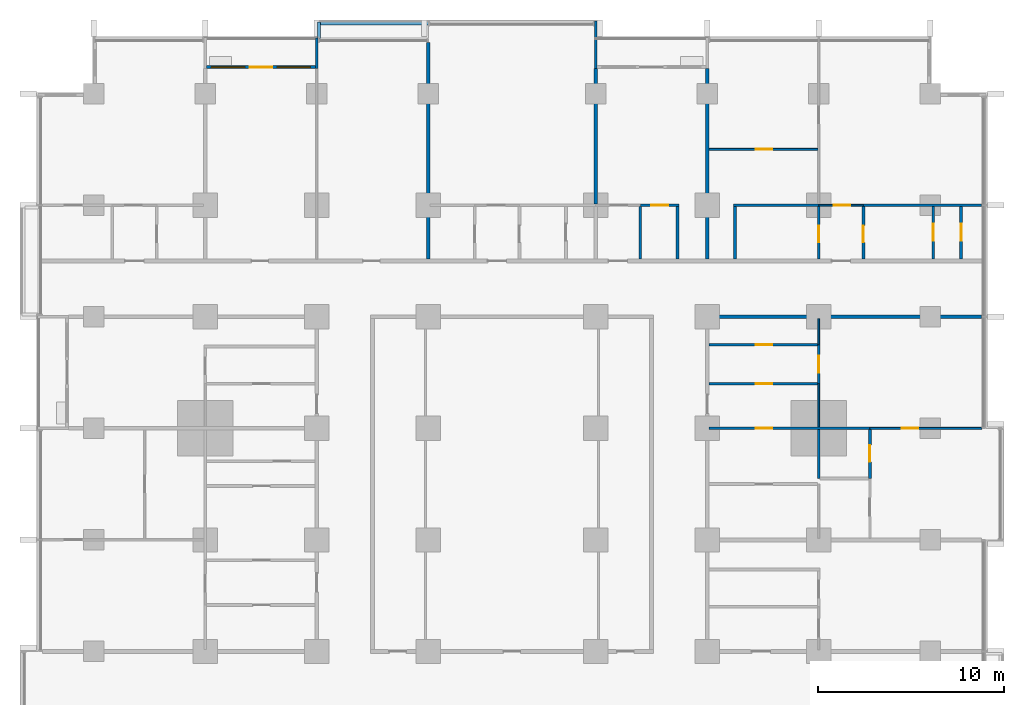
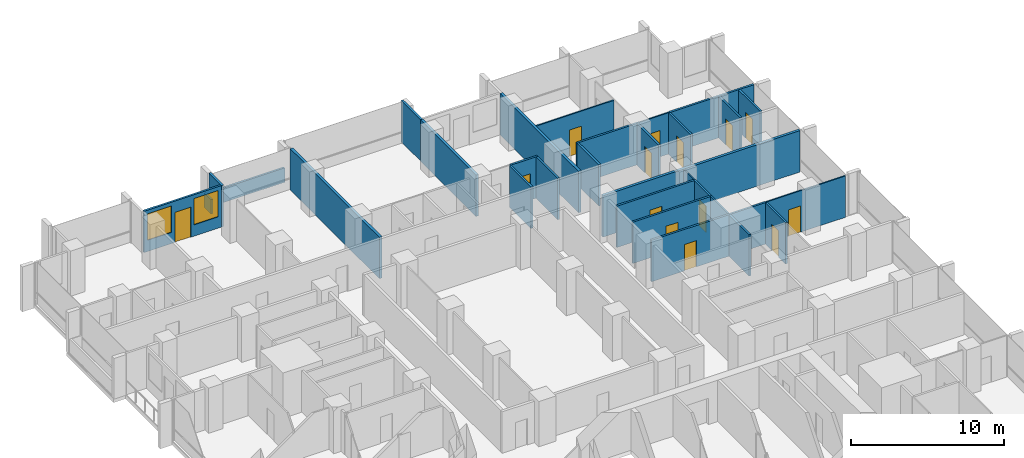
# One storey, part 12 of 18: 30 walls, 14 doors, 2 windows, 16 openings.
"""IFC4 building model written with IfcOpenShell, lengths in metres."""

from ifc_helpers import new_model, si_unit, direction, frame, frame_2d, origin, place, context, subcontext, project, spatial, rectangle, extrude, material, layer, layer_set, type_object, element, fill, save


model = new_model("IFC4")

# Units and contexts
model_context = context("Model", 3, precision=1e-05, world=origin(), true_north=direction((0.0, 1.0)))
body_context = subcontext(model_context, "Body", "Model", "MODEL_VIEW")
ifc_project = project(units=[si_unit("LENGTHUNIT", "METRE"), si_unit("AREAUNIT", "SQUARE_METRE"), si_unit("VOLUMEUNIT", "CUBIC_METRE"), si_unit("PLANEANGLEUNIT", "RADIAN"), si_unit("MASSUNIT", "GRAM", prefix="KILO")], contexts=[model_context])

# Site, building, storey
site_placement = place(None, origin())
site = spatial("IfcSite", under=ifc_project, at=site_placement, CompositionType="ELEMENT")
building_placement = place(site_placement, origin())
building = spatial("IfcBuilding", under=site, at=building_placement, Name="Finial Court Residences", CompositionType="ELEMENT")
storey_placement = place(building_placement, frame((0.0, 0.0, 39.699951171875)))
storey = spatial("IfcBuildingStorey", under=building, at=storey_placement, Name="L08", CompositionType="ELEMENT", Elevation=39.699951171875)

# Walls
ifc_material_1 = material(Name="Gypsum board")
ifc_layer_1 = layer(ifc_material_1, 0.02490234375)
ifc_material_2 = material(Name="Acoustic mineral wool in double frame")
ifc_layer_2 = layer(ifc_material_2, 0.14990234375)
ifc_layer_3 = layer(ifc_material_1, 0.02490234375)
ifc_layer_set_1 = layer_set([ifc_layer_1, ifc_layer_2, ifc_layer_3], Name="Acoustic party wall 200, 1 hour")
wall_type_1 = type_object("IfcWallType", Name="Acoustic party wall 200, 1 hour", PredefinedType="PARTITIONING", material=ifc_layer_set_1)
wall_1_placement = place(storey_placement, frame((4.5, 19.574951171875, 0.0), z_axis=(0.0, 0.0, 1.0), x_axis=(0.0, 1.0, 0.0)))
element("IfcWall", 1, at=wall_1_placement, inside=storey, type_object=wall_type_1, Name="Partition L08-070", PredefinedType="PARTITIONING", context=body_context, shape_type="SweptSolid", body=[
    extrude(rectangle(XDim=7.275146484375, YDim=0.199951171875, at=frame_2d((3.6376953125, 0.0))), origin(), (0.0, 0.0, 1.0), 3.300048828125),
])
wall_2_placement = place(storey_placement, frame((10.5, 16.60009765625, 0.0), z_axis=(0.0, 0.0, 1.0), x_axis=(0.0, 1.0, 0.0)))
element("IfcWall", 2, at=wall_2_placement, inside=storey, type_object=wall_type_1, Name="Partition L08-076", PredefinedType="PARTITIONING", context=body_context, shape_type="SweptSolid", body=[
    extrude(rectangle(XDim=10.25, YDim=0.199951171875, at=frame_2d((5.125, 0.0))), origin(), (0.0, 0.0, 1.0), 3.300048828125),
])
ifc_layer_4 = layer(ifc_material_1, 0.02490234375)
ifc_layer_5 = layer(ifc_material_2, 0.14990234375)
ifc_layer_6 = layer(ifc_material_1, 0.02490234375)
ifc_layer_set_2 = layer_set([ifc_layer_4, ifc_layer_5, ifc_layer_6], Name="Corridor wall 200, 1 hour")
wall_type_2 = type_object("IfcWallType", Name="Corridor wall 200, 1 hour", PredefinedType="PARTITIONING", material=ifc_layer_set_2)
wall_3_placement = place(storey_placement, frame((10.39990234375, 13.5, 0.0), z_axis=(0.0, 0.0, 1.0), x_axis=(1.0, 0.0, 0.0)))
element("IfcWall", 3, at=wall_3_placement, inside=storey, type_object=wall_type_2, Name="Partition L08-033", PredefinedType="PARTITIONING", context=body_context, shape_type="SweptSolid", body=[
    extrude(rectangle(XDim=14.85009765625, YDim=0.199951171875, at=frame_2d((7.425048828125, 0.0))), origin(), (0.0, 0.0, 1.0), 3.300048828125),
])
wall_4_placement = place(storey_placement, frame((-4.5, 16.60009765625, 0.0), z_axis=(0.0, 0.0, 1.0), x_axis=(0.0, 1.0, 0.0)))
element("IfcWall", 4, at=wall_4_placement, inside=storey, type_object=wall_type_2, Name="Partition L08-065", PredefinedType="PARTITIONING", context=body_context, shape_type="SweptSolid", body=[
    extrude(rectangle(XDim=11.64990234375, YDim=0.199951171875, at=frame_2d((5.824951171875, 0.0))), origin(), (0.0, 0.0, 1.0), 3.300048828125),
])

# Wall, opening, door
ifc_layer_7 = layer(ifc_material_1, 0.012451171875)
ifc_material_3 = material(Name="Mineral wool in light-gauge frame")
ifc_layer_8 = layer(ifc_material_3, 0.074951171875)
ifc_layer_9 = layer(ifc_material_1, 0.012451171875)
ifc_layer_set_3 = layer_set([ifc_layer_7, ifc_layer_8, ifc_layer_9], Name="Gypsum board partition 100")
wall_type_3 = type_object("IfcWallType", Name="Gypsum board partition 100", PredefinedType="PARTITIONING", material=ifc_layer_set_3)
wall_5_placement = place(storey_placement, frame((19.25, 7.5, 0.0), z_axis=(0.0, 0.0, 1.0), x_axis=(1.0, 0.0, 0.0)))
wall_5 = element("IfcWall", 5, at=wall_5_placement, inside=storey, type_object=wall_type_3, Name="Partition L08-024", PredefinedType="PARTITIONING", context=body_context, shape_type="SweptSolid", body=[
    extrude(rectangle(XDim=6.0, YDim=0.10009765625, at=frame_2d((3.0, 0.0))), origin(), (0.0, 0.0, 1.0), 3.300048828125),
])
opening_1_placement = place(wall_5_placement, frame((1.699951171875, 0.0, 0.0)))
opening_1 = element("IfcOpeningElement", 6, at=opening_1_placement, cuts=wall_5, Name="Opening L08-D017", PredefinedType="OPENING", context=body_context, shape_type="SweptSolid", body=[
    extrude(rectangle(XDim=0.89990234375, YDim=2.10009765625, at=frame_2d((0.449951171875, 1.050048828125))), frame((0.0, 0.06005859375, 0.0), z_axis=(0.0, -1.0, 0.0), x_axis=(1.0, 0.0, 0.0)), (0.0, 0.0, 1.0), 0.1201171875),
])
ifc_material_4 = material(Name="Timber door leaf in timber frame", Category="wood")
door_type_1 = type_object("IfcDoorType", Name="Door set 900 x 2100", OperationType="SINGLE_SWING_LEFT", PredefinedType="DOOR", material=ifc_material_4)
door_1_placement = place(opening_1_placement, origin())
door_1 = element("IfcDoor", 7, at=door_1_placement, inside=storey, type_object=door_type_1, Name="Door L08-D017", OperationType="SINGLE_SWING_LEFT", OverallHeight=2.10009765625, OverallWidth=0.89990234375, PredefinedType="DOOR", context=body_context, shape_type="SweptSolid", body=[
    extrude(rectangle(XDim=0.89990234375, YDim=2.10009765625, at=frame_2d((0.449951171875, 1.050048828125))), frame((0.0, 0.02490234375, 0.0), z_axis=(0.0, -1.0, 0.0), x_axis=(1.0, 0.0, 0.0)), (0.0, 0.0, 1.0), 0.050048828125),
])
fill(opening_1, door_1)

wall_6_placement = place(storey_placement, frame((16.5, 19.5, 0.0), z_axis=(0.0, 0.0, 1.0), x_axis=(1.0, 0.0, 0.0)))
wall_6 = element("IfcWall", 8, at=wall_6_placement, inside=storey, type_object=wall_type_3, Name="Partition L08-038", PredefinedType="PARTITIONING", context=body_context, shape_type="SweptSolid", body=[
    extrude(rectangle(XDim=2.39990234375, YDim=0.10009765625, at=frame_2d((1.199951171875, 0.0))), origin(), (0.0, 0.0, 1.0), 3.300048828125),
])
opening_2_placement = place(wall_6_placement, frame((0.800048828125, 0.0, 0.0)))
opening_2 = element("IfcOpeningElement", 9, at=opening_2_placement, cuts=wall_6, Name="Opening L08-D031", PredefinedType="OPENING", context=body_context, shape_type="SweptSolid", body=[
    extrude(rectangle(XDim=0.89990234375, YDim=2.10009765625, at=frame_2d((0.449951171875, 1.050048828125))), frame((0.0, 0.06005859375, 0.0), z_axis=(0.0, -1.0, 0.0), x_axis=(1.0, 0.0, 0.0)), (0.0, 0.0, 1.0), 0.1201171875),
])
door_2_placement = place(opening_2_placement, origin())
door_2 = element("IfcDoor", 10, at=door_2_placement, inside=storey, type_object=door_type_1, Name="Door L08-D031", OperationType="SINGLE_SWING_LEFT", OverallHeight=2.10009765625, OverallWidth=0.89990234375, PredefinedType="DOOR", context=body_context, shape_type="SweptSolid", body=[
    extrude(rectangle(XDim=0.89990234375, YDim=2.10009765625, at=frame_2d((0.449951171875, 1.050048828125))), frame((0.0, 0.02490234375, 0.0), z_axis=(0.0, -1.0, 0.0), x_axis=(1.0, 0.0, 0.0)), (0.0, 0.0, 1.0), 0.050048828125),
])
fill(opening_2, door_2)

wall_7_placement = place(storey_placement, frame((10.60009765625, 22.5, 0.0), z_axis=(0.0, 0.0, 1.0), x_axis=(1.0, 0.0, 0.0)))
wall_7 = element("IfcWall", 11, at=wall_7_placement, inside=storey, type_object=wall_type_3, Name="Partition L08-046", PredefinedType="PARTITIONING", context=body_context, shape_type="SweptSolid", body=[
    extrude(rectangle(XDim=5.849853515625, YDim=0.10009765625, at=frame_2d((2.9248046875, 0.0))), origin(), (0.0, 0.0, 1.0), 3.300048828125),
])
opening_3_placement = place(wall_7_placement, frame((2.5, 0.0, 0.0)))
opening_3 = element("IfcOpeningElement", 12, at=opening_3_placement, cuts=wall_7, Name="Opening L08-D034", PredefinedType="OPENING", context=body_context, shape_type="SweptSolid", body=[
    extrude(rectangle(XDim=0.89990234375, YDim=2.10009765625, at=frame_2d((0.449951171875, 1.050048828125))), frame((0.0, 0.06005859375, 0.0), z_axis=(0.0, -1.0, 0.0), x_axis=(1.0, 0.0, 0.0)), (0.0, 0.0, 1.0), 0.1201171875),
])
door_3_placement = place(opening_3_placement, origin())
door_3 = element("IfcDoor", 13, at=door_3_placement, inside=storey, type_object=door_type_1, Name="Door L08-D034", OperationType="SINGLE_SWING_RIGHT", OverallHeight=2.10009765625, OverallWidth=0.89990234375, PredefinedType="DOOR", context=body_context, shape_type="SweptSolid", body=[
    extrude(rectangle(XDim=0.89990234375, YDim=2.10009765625, at=frame_2d((0.449951171875, 1.050048828125))), frame((0.0, 0.02490234375, 0.0), z_axis=(0.0, -1.0, 0.0), x_axis=(1.0, 0.0, 0.0)), (0.0, 0.0, 1.0), 0.050048828125),
])
fill(opening_3, door_3)

# Walls
wall_8_placement = place(storey_placement, frame((16.5, 7.574951171875, 0.0), z_axis=(0.0, 0.0, 1.0), x_axis=(0.0, 1.0, 0.0)))
element("IfcWall", 14, at=wall_8_placement, inside=storey, type_object=wall_type_3, Name="Partition L08-081", PredefinedType="PARTITIONING", context=body_context, shape_type="SweptSolid", body=[
    extrude(rectangle(XDim=2.324951171875, YDim=0.10009765625, at=frame_2d((1.16259765625, 0.0))), origin(), (0.0, 0.0, 1.0), 3.300048828125),
])
wall_9_placement = place(storey_placement, frame((16.5, 12.0, 0.0), z_axis=(0.0, 0.0, 1.0), x_axis=(0.0, 1.0, 0.0)))
element("IfcWall", 15, at=wall_9_placement, inside=storey, type_object=wall_type_3, Name="Partition L08-082", PredefinedType="PARTITIONING", context=body_context, shape_type="SweptSolid", body=[
    extrude(rectangle(XDim=1.39990234375, YDim=0.10009765625, at=frame_2d((0.699951171875, 0.0))), origin(), (0.0, 0.0, 1.0), 3.300048828125),
])

# Wall, opening, door
ifc_material_5 = material(Name="Moisture-resistant gypsum board")
ifc_layer_10 = layer(ifc_material_5, 0.012451171875)
ifc_layer_11 = layer(ifc_material_3, 0.125)
ifc_layer_12 = layer(ifc_material_5, 0.012451171875)
ifc_layer_set_4 = layer_set([ifc_layer_10, ifc_layer_11, ifc_layer_12], Name="Gypsum board wet-area partition 150")
wall_type_4 = type_object("IfcWallType", Name="Gypsum board wet-area partition 150", PredefinedType="PARTITIONING", material=ifc_layer_set_4)
wall_10_placement = place(storey_placement, frame((10.60009765625, 7.5, 0.0), z_axis=(0.0, 0.0, 1.0), x_axis=(1.0, 0.0, 0.0)))
wall_10 = element("IfcWall", 16, at=wall_10_placement, inside=storey, type_object=wall_type_4, Name="Partition L08-026", PredefinedType="PARTITIONING", context=body_context, shape_type="SweptSolid", body=[
    extrude(rectangle(XDim=8.64990234375, YDim=0.14990234375, at=frame_2d((4.324951171875, 0.0))), origin(), (0.0, 0.0, 1.0), 3.300048828125),
])
opening_4_placement = place(wall_10_placement, frame((2.5, 0.0, 0.0)))
opening_4 = element("IfcOpeningElement", 17, at=opening_4_placement, cuts=wall_10, Name="Opening L08-D018", PredefinedType="OPENING", context=body_context, shape_type="SweptSolid", body=[
    extrude(rectangle(XDim=0.89990234375, YDim=2.10009765625, at=frame_2d((0.449951171875, 1.050048828125))), frame((0.0, 0.0849609375, 0.0), z_axis=(0.0, -1.0, 0.0), x_axis=(1.0, 0.0, 0.0)), (0.0, 0.0, 1.0), 0.169921875),
])
door_4_placement = place(opening_4_placement, origin())
door_4 = element("IfcDoor", 18, at=door_4_placement, inside=storey, type_object=door_type_1, Name="Door L08-D018", OperationType="SINGLE_SWING_LEFT", OverallHeight=2.10009765625, OverallWidth=0.89990234375, PredefinedType="DOOR", context=body_context, shape_type="SweptSolid", body=[
    extrude(rectangle(XDim=0.89990234375, YDim=2.10009765625, at=frame_2d((0.449951171875, 1.050048828125))), frame((0.0, 0.02490234375, 0.0), z_axis=(0.0, -1.0, 0.0), x_axis=(1.0, 0.0, 0.0)), (0.0, 0.0, 1.0), 0.050048828125),
])
fill(opening_4, door_4)

wall_11_placement = place(storey_placement, frame((10.60009765625, 9.89990234375, 0.0), z_axis=(0.0, 0.0, 1.0), x_axis=(1.0, 0.0, 0.0)))
wall_11 = element("IfcWall", 19, at=wall_11_placement, inside=storey, type_object=wall_type_4, Name="Partition L08-028", PredefinedType="PARTITIONING", context=body_context, shape_type="SweptSolid", body=[
    extrude(rectangle(XDim=5.824951171875, YDim=0.14990234375, at=frame_2d((2.91259765625, 0.0))), origin(), (0.0, 0.0, 1.0), 3.300048828125),
])
opening_5_placement = place(wall_11_placement, frame((2.5, 0.0, 0.0)))
opening_5 = element("IfcOpeningElement", 20, at=opening_5_placement, cuts=wall_11, Name="Opening L08-D020", PredefinedType="OPENING", context=body_context, shape_type="SweptSolid", body=[
    extrude(rectangle(XDim=0.89990234375, YDim=2.10009765625, at=frame_2d((0.449951171875, 1.050048828125))), frame((0.0, 0.0849609375, 0.0), z_axis=(0.0, -1.0, 0.0), x_axis=(1.0, 0.0, 0.0)), (0.0, 0.0, 1.0), 0.169921875),
])
door_5_placement = place(opening_5_placement, origin())
door_5 = element("IfcDoor", 21, at=door_5_placement, inside=storey, type_object=door_type_1, Name="Door L08-D020", OperationType="SINGLE_SWING_RIGHT", OverallHeight=2.10009765625, OverallWidth=0.89990234375, PredefinedType="DOOR", context=body_context, shape_type="SweptSolid", body=[
    extrude(rectangle(XDim=0.89990234375, YDim=2.10009765625, at=frame_2d((0.449951171875, 1.050048828125))), frame((0.0, 0.02490234375, 0.0), z_axis=(0.0, -1.0, 0.0), x_axis=(1.0, 0.0, 0.0)), (0.0, 0.0, 1.0), 0.050048828125),
])
fill(opening_5, door_5)

wall_12_placement = place(storey_placement, frame((10.60009765625, 12.0, 0.0), z_axis=(0.0, 0.0, 1.0), x_axis=(1.0, 0.0, 0.0)))
wall_12 = element("IfcWall", 22, at=wall_12_placement, inside=storey, type_object=wall_type_4, Name="Partition L08-030", PredefinedType="PARTITIONING", context=body_context, shape_type="SweptSolid", body=[
    extrude(rectangle(XDim=5.824951171875, YDim=0.14990234375, at=frame_2d((2.91259765625, 0.0))), origin(), (0.0, 0.0, 1.0), 3.300048828125),
])
opening_6_placement = place(wall_12_placement, frame((2.5, 0.0, 0.0)))
opening_6 = element("IfcOpeningElement", 23, at=opening_6_placement, cuts=wall_12, Name="Opening L08-D021", PredefinedType="OPENING", context=body_context, shape_type="SweptSolid", body=[
    extrude(rectangle(XDim=0.89990234375, YDim=2.10009765625, at=frame_2d((0.449951171875, 1.050048828125))), frame((0.0, 0.0849609375, 0.0), z_axis=(0.0, -1.0, 0.0), x_axis=(1.0, 0.0, 0.0)), (0.0, 0.0, 1.0), 0.169921875),
])
door_6_placement = place(opening_6_placement, origin())
door_6 = element("IfcDoor", 24, at=door_6_placement, inside=storey, type_object=door_type_1, Name="Door L08-D021", OperationType="SINGLE_SWING_LEFT", OverallHeight=2.10009765625, OverallWidth=0.89990234375, PredefinedType="DOOR", context=body_context, shape_type="SweptSolid", body=[
    extrude(rectangle(XDim=0.89990234375, YDim=2.10009765625, at=frame_2d((0.449951171875, 1.050048828125))), frame((0.0, 0.02490234375, 0.0), z_axis=(0.0, -1.0, 0.0), x_axis=(1.0, 0.0, 0.0)), (0.0, 0.0, 1.0), 0.050048828125),
])
fill(opening_6, door_6)

wall_13_placement = place(storey_placement, frame((6.89990234375, 19.5, 0.0), z_axis=(0.0, 0.0, 1.0), x_axis=(1.0, 0.0, 0.0)))
wall_13 = element("IfcWall", 25, at=wall_13_placement, inside=storey, type_object=wall_type_4, Name="Partition L08-043", PredefinedType="PARTITIONING", context=body_context, shape_type="SweptSolid", body=[
    extrude(rectangle(XDim=2.0751953125, YDim=0.14990234375, at=frame_2d((1.03759765625, 0.0))), origin(), (0.0, 0.0, 1.0), 3.300048828125),
])
opening_7_placement = place(wall_13_placement, frame((0.60009765625, 0.0, 0.0)))
opening_7 = element("IfcOpeningElement", 26, at=opening_7_placement, cuts=wall_13, Name="Opening L08-D033", PredefinedType="OPENING", context=body_context, shape_type="SweptSolid", body=[
    extrude(rectangle(XDim=0.89990234375, YDim=2.10009765625, at=frame_2d((0.449951171875, 1.050048828125))), frame((0.0, 0.0849609375, 0.0), z_axis=(0.0, -1.0, 0.0), x_axis=(1.0, 0.0, 0.0)), (0.0, 0.0, 1.0), 0.169921875),
])
door_7_placement = place(opening_7_placement, origin())
door_7 = element("IfcDoor", 27, at=door_7_placement, inside=storey, type_object=door_type_1, Name="Door L08-D033", OperationType="SINGLE_SWING_LEFT", OverallHeight=2.10009765625, OverallWidth=0.89990234375, PredefinedType="DOOR", context=body_context, shape_type="SweptSolid", body=[
    extrude(rectangle(XDim=0.89990234375, YDim=2.10009765625, at=frame_2d((0.449951171875, 1.050048828125))), frame((0.0, 0.02490234375, 0.0), z_axis=(0.0, -1.0, 0.0), x_axis=(1.0, 0.0, 0.0)), (0.0, 0.0, 1.0), 0.050048828125),
])
fill(opening_7, door_7)

# Walls
wall_14_placement = place(storey_placement, frame((11.925048828125, 19.5, 0.0), z_axis=(0.0, 0.0, 1.0), x_axis=(1.0, 0.0, 0.0)))
element("IfcWall", 28, at=wall_14_placement, inside=storey, type_object=wall_type_4, Name="Partition L08-044", PredefinedType="PARTITIONING", context=body_context, shape_type="SweptSolid", body=[
    extrude(rectangle(XDim=4.574951171875, YDim=0.14990234375, at=frame_2d((2.28759765625, 0.0))), origin(), (0.0, 0.0, 1.0), 3.300048828125),
])
wall_15_placement = place(storey_placement, frame((18.89990234375, 19.5, 0.0), z_axis=(0.0, 0.0, 1.0), x_axis=(1.0, 0.0, 0.0)))
element("IfcWall", 29, at=wall_15_placement, inside=storey, type_object=wall_type_4, Name="Partition L08-045", PredefinedType="PARTITIONING", context=body_context, shape_type="SweptSolid", body=[
    extrude(rectangle(XDim=6.35009765625, YDim=0.14990234375, at=frame_2d((3.175048828125, 0.0))), origin(), (0.0, 0.0, 1.0), 3.300048828125),
])
for number, where, z_axis, x_axis, name in (
    (30, (6.89990234375, 16.60009765625, 0.0), (0.0, 0.0, 1.0), (0.0, 1.0, 0.0), "Partition L08-072"),
    (31, (8.89990234375, 16.60009765625, 0.0), (0.0, 0.0, 1.0), (0.0, 1.0, 0.0), "Partition L08-074"),
    (32, (12.0, 16.60009765625, 0.0), (0.0, 0.0, 1.0), (0.0, 1.0, 0.0), "Partition L08-077"),
):
    element("IfcWall", number, at=place(storey_placement, frame(where, z_axis=z_axis, x_axis=x_axis)), inside=storey, type_object=wall_type_4, Name=name, PredefinedType="PARTITIONING", context=body_context, shape_type="SweptSolid", body=[
        extrude(rectangle(XDim=2.824951171875, YDim=0.14990234375, at=frame_2d((1.41259765625, 0.0))), origin(), (0.0, 0.0, 1.0), 3.300048828125),
    ])
wall_16_placement = place(storey_placement, frame((16.5, 4.800048828125, 0.0), z_axis=(0.0, 0.0, 1.0), x_axis=(0.0, 1.0, 0.0)))
element("IfcWall", 33, at=wall_16_placement, inside=storey, type_object=wall_type_4, Name="Partition L08-087", PredefinedType="PARTITIONING", context=body_context, shape_type="SweptSolid", body=[
    extrude(rectangle(XDim=2.625, YDim=0.14990234375, at=frame_2d((1.3125, 0.0))), origin(), (0.0, 0.0, 1.0), 3.300048828125),
])

# Wall, opening, door
wall_17_placement = place(storey_placement, frame((16.5, 9.89990234375, 0.0), z_axis=(0.0, 0.0, 1.0), x_axis=(0.0, 1.0, 0.0)))
wall_17 = element("IfcWall", 34, at=wall_17_placement, inside=storey, type_object=wall_type_4, Name="Partition L08-088", PredefinedType="PARTITIONING", context=body_context, shape_type="SweptSolid", body=[
    extrude(rectangle(XDim=2.10009765625, YDim=0.14990234375, at=frame_2d((1.050048828125, 0.0))), origin(), (0.0, 0.0, 1.0), 3.300048828125),
])
opening_8_placement = place(wall_17_placement, frame((0.60009765625, 0.0, 0.0)))
opening_8 = element("IfcOpeningElement", 35, at=opening_8_placement, cuts=wall_17, Name="Opening L08-D052", PredefinedType="OPENING", context=body_context, shape_type="SweptSolid", body=[
    extrude(rectangle(XDim=0.89990234375, YDim=2.10009765625, at=frame_2d((0.449951171875, 1.050048828125))), frame((0.0, 0.0849609375, 0.0), z_axis=(0.0, -1.0, 0.0), x_axis=(1.0, 0.0, 0.0)), (0.0, 0.0, 1.0), 0.169921875),
])
door_8_placement = place(opening_8_placement, origin())
door_8 = element("IfcDoor", 36, at=door_8_placement, inside=storey, type_object=door_type_1, Name="Door L08-D052", OperationType="SINGLE_SWING_RIGHT", OverallHeight=2.10009765625, OverallWidth=0.89990234375, PredefinedType="DOOR", context=body_context, shape_type="SweptSolid", body=[
    extrude(rectangle(XDim=0.89990234375, YDim=2.10009765625, at=frame_2d((0.449951171875, 1.050048828125))), frame((0.0, 0.02490234375, 0.0), z_axis=(0.0, -1.0, 0.0), x_axis=(1.0, 0.0, 0.0)), (0.0, 0.0, 1.0), 0.050048828125),
])
fill(opening_8, door_8)

wall_18_placement = place(storey_placement, frame((16.5, 16.60009765625, 0.0), z_axis=(0.0, 0.0, 1.0), x_axis=(0.0, 1.0, 0.0)))
wall_18 = element("IfcWall", 37, at=wall_18_placement, inside=storey, type_object=wall_type_4, Name="Partition L08-089", PredefinedType="PARTITIONING", context=body_context, shape_type="SweptSolid", body=[
    extrude(rectangle(XDim=2.824951171875, YDim=0.14990234375, at=frame_2d((1.41259765625, 0.0))), origin(), (0.0, 0.0, 1.0), 3.300048828125),
])
opening_9_placement = place(wall_18_placement, frame((0.89990234375, 0.0, 0.0)))
opening_9 = element("IfcOpeningElement", 38, at=opening_9_placement, cuts=wall_18, Name="Opening L08-D053", PredefinedType="OPENING", context=body_context, shape_type="SweptSolid", body=[
    extrude(rectangle(XDim=0.89990234375, YDim=2.10009765625, at=frame_2d((0.449951171875, 1.050048828125))), frame((0.0, 0.0849609375, 0.0), z_axis=(0.0, -1.0, 0.0), x_axis=(1.0, 0.0, 0.0)), (0.0, 0.0, 1.0), 0.169921875),
])
door_9_placement = place(opening_9_placement, origin())
door_9 = element("IfcDoor", 39, at=door_9_placement, inside=storey, type_object=door_type_1, Name="Door L08-D053", OperationType="SINGLE_SWING_LEFT", OverallHeight=2.10009765625, OverallWidth=0.89990234375, PredefinedType="DOOR", context=body_context, shape_type="SweptSolid", body=[
    extrude(rectangle(XDim=0.89990234375, YDim=2.10009765625, at=frame_2d((0.449951171875, 1.050048828125))), frame((0.0, 0.02490234375, 0.0), z_axis=(0.0, -1.0, 0.0), x_axis=(1.0, 0.0, 0.0)), (0.0, 0.0, 1.0), 0.050048828125),
])
fill(opening_9, door_9)

wall_19_placement = place(storey_placement, frame((18.89990234375, 16.60009765625, 0.0), z_axis=(0.0, 0.0, 1.0), x_axis=(0.0, 1.0, 0.0)))
wall_19 = element("IfcWall", 40, at=wall_19_placement, inside=storey, type_object=wall_type_4, Name="Partition L08-090", PredefinedType="PARTITIONING", context=body_context, shape_type="SweptSolid", body=[
    extrude(rectangle(XDim=2.824951171875, YDim=0.14990234375, at=frame_2d((1.41259765625, 0.0))), origin(), (0.0, 0.0, 1.0), 3.300048828125),
])
opening_10_placement = place(wall_19_placement, frame((0.89990234375, 0.0, 0.0)))
opening_10 = element("IfcOpeningElement", 41, at=opening_10_placement, cuts=wall_19, Name="Opening L08-D054", PredefinedType="OPENING", context=body_context, shape_type="SweptSolid", body=[
    extrude(rectangle(XDim=0.89990234375, YDim=2.10009765625, at=frame_2d((0.449951171875, 1.050048828125))), frame((0.0, 0.0849609375, 0.0), z_axis=(0.0, -1.0, 0.0), x_axis=(1.0, 0.0, 0.0)), (0.0, 0.0, 1.0), 0.169921875),
])
door_10_placement = place(opening_10_placement, origin())
door_10 = element("IfcDoor", 42, at=door_10_placement, inside=storey, type_object=door_type_1, Name="Door L08-D054", OperationType="SINGLE_SWING_RIGHT", OverallHeight=2.10009765625, OverallWidth=0.89990234375, PredefinedType="DOOR", context=body_context, shape_type="SweptSolid", body=[
    extrude(rectangle(XDim=0.89990234375, YDim=2.10009765625, at=frame_2d((0.449951171875, 1.050048828125))), frame((0.0, 0.02490234375, 0.0), z_axis=(0.0, -1.0, 0.0), x_axis=(1.0, 0.0, 0.0)), (0.0, 0.0, 1.0), 0.050048828125),
])
fill(opening_10, door_10)

wall_20_placement = place(storey_placement, frame((19.25, 4.800048828125, 0.0), z_axis=(0.0, 0.0, 1.0), x_axis=(0.0, 1.0, 0.0)))
wall_20 = element("IfcWall", 43, at=wall_20_placement, inside=storey, type_object=wall_type_4, Name="Partition L08-092", PredefinedType="PARTITIONING", context=body_context, shape_type="SweptSolid", body=[
    extrude(rectangle(XDim=2.625, YDim=0.14990234375, at=frame_2d((1.3125, 0.0))), origin(), (0.0, 0.0, 1.0), 3.300048828125),
])
opening_11_placement = place(wall_20_placement, frame((0.89990234375, 0.0, 0.0)))
opening_11 = element("IfcOpeningElement", 44, at=opening_11_placement, cuts=wall_20, Name="Opening L08-D056", PredefinedType="OPENING", context=body_context, shape_type="SweptSolid", body=[
    extrude(rectangle(XDim=0.89990234375, YDim=2.10009765625, at=frame_2d((0.449951171875, 1.050048828125))), frame((0.0, 0.0849609375, 0.0), z_axis=(0.0, -1.0, 0.0), x_axis=(1.0, 0.0, 0.0)), (0.0, 0.0, 1.0), 0.169921875),
])
door_11_placement = place(opening_11_placement, origin())
door_11 = element("IfcDoor", 45, at=door_11_placement, inside=storey, type_object=door_type_1, Name="Door L08-D056", OperationType="SINGLE_SWING_LEFT", OverallHeight=2.10009765625, OverallWidth=0.89990234375, PredefinedType="DOOR", context=body_context, shape_type="SweptSolid", body=[
    extrude(rectangle(XDim=0.89990234375, YDim=2.10009765625, at=frame_2d((0.449951171875, 1.050048828125))), frame((0.0, 0.02490234375, 0.0), z_axis=(0.0, -1.0, 0.0), x_axis=(1.0, 0.0, 0.0)), (0.0, 0.0, 1.0), 0.050048828125),
])
fill(opening_11, door_11)

wall_21_placement = place(storey_placement, frame((22.64990234375, 16.60009765625, 0.0), z_axis=(0.0, 0.0, 1.0), x_axis=(0.0, 1.0, 0.0)))
wall_21 = element("IfcWall", 46, at=wall_21_placement, inside=storey, type_object=wall_type_4, Name="Partition L08-096", PredefinedType="PARTITIONING", context=body_context, shape_type="SweptSolid", body=[
    extrude(rectangle(XDim=2.824951171875, YDim=0.14990234375, at=frame_2d((1.41259765625, 0.0))), origin(), (0.0, 0.0, 1.0), 3.300048828125),
])
opening_12_placement = place(wall_21_placement, frame((1.0, 0.0, 0.0)))
opening_12 = element("IfcOpeningElement", 47, at=opening_12_placement, cuts=wall_21, Name="Opening L08-D060", PredefinedType="OPENING", context=body_context, shape_type="SweptSolid", body=[
    extrude(rectangle(XDim=0.89990234375, YDim=2.10009765625, at=frame_2d((0.449951171875, 1.050048828125))), frame((0.0, 0.0849609375, 0.0), z_axis=(0.0, -1.0, 0.0), x_axis=(1.0, 0.0, 0.0)), (0.0, 0.0, 1.0), 0.169921875),
])
door_12_placement = place(opening_12_placement, origin())
door_12 = element("IfcDoor", 48, at=door_12_placement, inside=storey, type_object=door_type_1, Name="Door L08-D060", OperationType="SINGLE_SWING_RIGHT", OverallHeight=2.10009765625, OverallWidth=0.89990234375, PredefinedType="DOOR", context=body_context, shape_type="SweptSolid", body=[
    extrude(rectangle(XDim=0.89990234375, YDim=2.10009765625, at=frame_2d((0.449951171875, 1.050048828125))), frame((0.0, 0.02490234375, 0.0), z_axis=(0.0, -1.0, 0.0), x_axis=(1.0, 0.0, 0.0)), (0.0, 0.0, 1.0), 0.050048828125),
])
fill(opening_12, door_12)

wall_22_placement = place(storey_placement, frame((24.14990234375, 16.60009765625, 0.0), z_axis=(0.0, 0.0, 1.0), x_axis=(0.0, 1.0, 0.0)))
wall_22 = element("IfcWall", 49, at=wall_22_placement, inside=storey, type_object=wall_type_4, Name="Partition L08-097", PredefinedType="PARTITIONING", context=body_context, shape_type="SweptSolid", body=[
    extrude(rectangle(XDim=2.824951171875, YDim=0.14990234375, at=frame_2d((1.41259765625, 0.0))), origin(), (0.0, 0.0, 1.0), 3.300048828125),
])
opening_13_placement = place(wall_22_placement, frame((1.0, 0.0, 0.0)))
opening_13 = element("IfcOpeningElement", 50, at=opening_13_placement, cuts=wall_22, Name="Opening L08-D061", PredefinedType="OPENING", context=body_context, shape_type="SweptSolid", body=[
    extrude(rectangle(XDim=0.89990234375, YDim=2.10009765625, at=frame_2d((0.449951171875, 1.050048828125))), frame((0.0, 0.0849609375, 0.0), z_axis=(0.0, -1.0, 0.0), x_axis=(1.0, 0.0, 0.0)), (0.0, 0.0, 1.0), 0.169921875),
])
door_13_placement = place(opening_13_placement, origin())
door_13 = element("IfcDoor", 51, at=door_13_placement, inside=storey, type_object=door_type_1, Name="Door L08-D061", OperationType="SINGLE_SWING_LEFT", OverallHeight=2.10009765625, OverallWidth=0.89990234375, PredefinedType="DOOR", context=body_context, shape_type="SweptSolid", body=[
    extrude(rectangle(XDim=0.89990234375, YDim=2.10009765625, at=frame_2d((0.449951171875, 1.050048828125))), frame((0.0, 0.02490234375, 0.0), z_axis=(0.0, -1.0, 0.0), x_axis=(1.0, 0.0, 0.0)), (0.0, 0.0, 1.0), 0.050048828125),
])
fill(opening_13, door_13)

# Walls
ifc_material_6 = material(Name="Concrete C35/45", Category="concrete")
ifc_layer_13 = layer(ifc_material_6, 0.14990234375)
ifc_layer_set_5 = layer_set([ifc_layer_13], Name="Ledge parapet, Concrete C35/45 150")
wall_type_5 = type_object("IfcWallType", Name="Ledge parapet, Concrete C35/45 150", PredefinedType="PARAPET", material=ifc_layer_set_5)
wall_23_placement = place(storey_placement, frame((-10.375, 28.4599609375, 0.0), z_axis=(0.0, 0.0, 1.0), x_axis=(0.0, 1.0, 0.0)))
element("IfcWall", 52, at=wall_23_placement, inside=storey, type_object=wall_type_5, Name="E-L08-LED2-P1", PredefinedType="PARAPET", context=body_context, shape_type="SweptSolid", body=[
    extrude(rectangle(XDim=0.89013671875, YDim=0.14990234375, at=frame_2d((0.445068359375, 0.0))), origin(), (0.0, 0.0, 1.0), 1.150146484375),
])
wall_24_placement = place(storey_placement, frame((-10.300048828125, 29.27490234375, 0.0), z_axis=(0.0, 0.0, 1.0), x_axis=(1.0, 0.0, 0.0)))
element("IfcWall", 53, at=wall_24_placement, inside=storey, type_object=wall_type_5, Name="E-L08-LED2-P2", PredefinedType="PARAPET", context=body_context, shape_type="SweptSolid", body=[
    extrude(rectangle(XDim=5.840087890625, YDim=0.14990234375, at=frame_2d((2.919921875, 0.0))), origin(), (0.0, 0.0, 1.0), 1.150146484375),
])
ifc_material_7 = material(Name="Natural limestone", Category="masonry")
ifc_layer_14 = layer(ifc_material_7, 0.14990234375)
ifc_layer_set_6 = layer_set([ifc_layer_14], Name="Limestone clad wall 150")
wall_type_6 = type_object("IfcWallType", Name="Limestone clad wall 150", PredefinedType="SOLIDWALL", material=ifc_layer_set_6)
wall_25_placement = place(storey_placement, frame((-10.5, 26.85009765625, 0.0), z_axis=(0.0, 0.0, 1.0), x_axis=(0.0, 1.0, 0.0)))
element("IfcWall", 54, at=wall_25_placement, inside=storey, type_object=wall_type_6, Name="E-L08-BALN2-P2", PredefinedType="SOLIDWALL", context=body_context, shape_type="SweptSolid", body=[
    extrude(rectangle(XDim=1.64990234375, YDim=0.14990234375, at=frame_2d((0.824951171875, 0.0))), origin(), (0.0, 0.0, 1.0), 3.300048828125),
])

# Wall, openings, door, windows
wall_26_placement = place(storey_placement, frame((-16.425048828125, 26.925048828125, 0.0), z_axis=(0.0, 0.0, 1.0), x_axis=(1.0, 0.0, 0.0)))
wall_26 = element("IfcWall", 55, at=wall_26_placement, inside=storey, type_object=wall_type_6, Name="E-L08-L08-BALN2-W", PredefinedType="SOLIDWALL", context=body_context, shape_type="SweptSolid", body=[
    extrude(rectangle(XDim=5.85009765625, YDim=0.14990234375, at=frame_2d((2.925048828125, 0.0))), origin(), (0.0, 0.0, 1.0), 3.300048828125),
])
opening_14_placement = place(wall_26_placement, frame((2.324951171875, 0.0, 0.0)))
opening_14 = element("IfcOpeningElement", 56, at=opening_14_placement, cuts=wall_26, Name="Opening DE08-01", PredefinedType="OPENING", context=body_context, shape_type="SweptSolid", body=[
    extrude(rectangle(XDim=1.199951171875, YDim=2.39990234375, at=frame_2d((0.60009765625, 1.199951171875))), frame((0.0, 0.0849609375, 0.0), z_axis=(0.0, -1.0, 0.0), x_axis=(1.0, 0.0, 0.0)), (0.0, 0.0, 1.0), 0.169921875),
])
opening_15_placement = place(wall_26_placement, frame((0.262451171875, 0.0, 0.89990234375)))
opening_15 = element("IfcOpeningElement", 57, at=opening_15_placement, cuts=wall_26, Name="Opening WE08-09", PredefinedType="OPENING", context=body_context, shape_type="SweptSolid", body=[
    extrude(rectangle(XDim=1.800048828125, YDim=2.10009765625, at=frame_2d((0.89990234375, 1.050048828125))), frame((0.0, 0.0849609375, 0.0), z_axis=(0.0, -1.0, 0.0), x_axis=(1.0, 0.0, 0.0)), (0.0, 0.0, 1.0), 0.169921875),
])
opening_16_placement = place(wall_26_placement, frame((3.78759765625, 0.0, 0.89990234375)))
opening_16 = element("IfcOpeningElement", 58, at=opening_16_placement, cuts=wall_26, Name="Opening WE08-10", PredefinedType="OPENING", context=body_context, shape_type="SweptSolid", body=[
    extrude(rectangle(XDim=1.800048828125, YDim=2.10009765625, at=frame_2d((0.89990234375, 1.050048828125))), frame((0.0, 0.0849609375, 0.0), z_axis=(0.0, -1.0, 0.0), x_axis=(1.0, 0.0, 0.0)), (0.0, 0.0, 1.0), 0.169921875),
])
ifc_material_8 = material(Name="Bronze anodised aluminium", Category="aluminium")
door_type_2 = type_object("IfcDoorType", Name="Balcony door 1200 x 2400", OperationType="SINGLE_SWING_LEFT", PredefinedType="DOOR", material=ifc_material_8)
door_14_placement = place(opening_14_placement, origin())
door_14 = element("IfcDoor", 59, at=door_14_placement, inside=storey, type_object=door_type_2, Name="E-L08-L08-BALN2-W-D", OperationType="SINGLE_SWING_LEFT", OverallHeight=2.39990234375, OverallWidth=1.199951171875, PredefinedType="DOOR", context=body_context, shape_type="SweptSolid", body=[
    extrude(rectangle(XDim=1.199951171875, YDim=2.39990234375, at=frame_2d((0.60009765625, 1.199951171875))), frame((0.0, 0.02490234375, 0.0), z_axis=(0.0, -1.0, 0.0), x_axis=(1.0, 0.0, 0.0)), (0.0, 0.0, 1.0), 0.050048828125),
])
fill(opening_14, door_14)
ifc_material_9 = material(Name="Clear low-e glass", Category="glass")
window_type = type_object("IfcWindowType", Name="Balcony window 1800 x 2100", PartitioningType="SINGLE_PANEL", PredefinedType="WINDOW", material=ifc_material_9)
window_1_placement = place(opening_15_placement, origin())
window_1 = element("IfcWindow", 60, at=window_1_placement, inside=storey, type_object=window_type, Name="E-L08-L08-BALN2-W-W1", OverallHeight=2.10009765625, OverallWidth=1.800048828125, PartitioningType="SINGLE_PANEL", PredefinedType="WINDOW", context=body_context, shape_type="SweptSolid", body=[
    extrude(rectangle(XDim=1.800048828125, YDim=2.10009765625, at=frame_2d((0.89990234375, 1.050048828125))), frame((0.0, 0.030029296875, 0.0), z_axis=(0.0, -1.0, 0.0), x_axis=(1.0, 0.0, 0.0)), (0.0, 0.0, 1.0), 0.06005859375),
])
fill(opening_15, window_1)
window_2_placement = place(opening_16_placement, origin())
window_2 = element("IfcWindow", 61, at=window_2_placement, inside=storey, type_object=window_type, Name="E-L08-L08-BALN2-W-W2", OverallHeight=2.10009765625, OverallWidth=1.800048828125, PartitioningType="SINGLE_PANEL", PredefinedType="WINDOW", context=body_context, shape_type="SweptSolid", body=[
    extrude(rectangle(XDim=1.800048828125, YDim=2.10009765625, at=frame_2d((0.89990234375, 1.050048828125))), frame((0.0, 0.030029296875, 0.0), z_axis=(0.0, -1.0, 0.0), x_axis=(1.0, 0.0, 0.0)), (0.0, 0.0, 1.0), 0.06005859375),
])
fill(opening_16, window_2)

# Wall
wall_27_placement = place(storey_placement, frame((4.5, 26.85009765625, 0.0), z_axis=(0.0, 0.0, 1.0), x_axis=(0.0, 1.0, 0.0)))
element("IfcWall", 62, at=wall_27_placement, inside=storey, type_object=wall_type_6, Name="E-L08-BALN5-P1", PredefinedType="SOLIDWALL", context=body_context, shape_type="SweptSolid", body=[
    extrude(rectangle(XDim=2.5498046875, YDim=0.14990234375, at=frame_2d((1.27490234375, 0.0))), origin(), (0.0, 0.0, 1.0), 3.300048828125),
])

save(model, "model.ifc")
